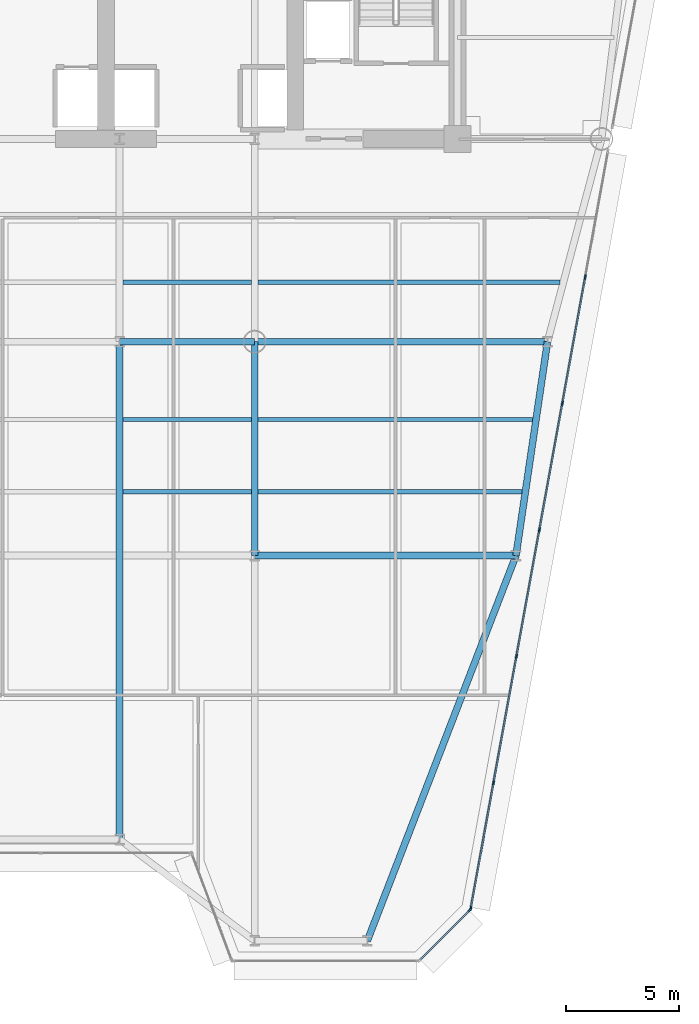
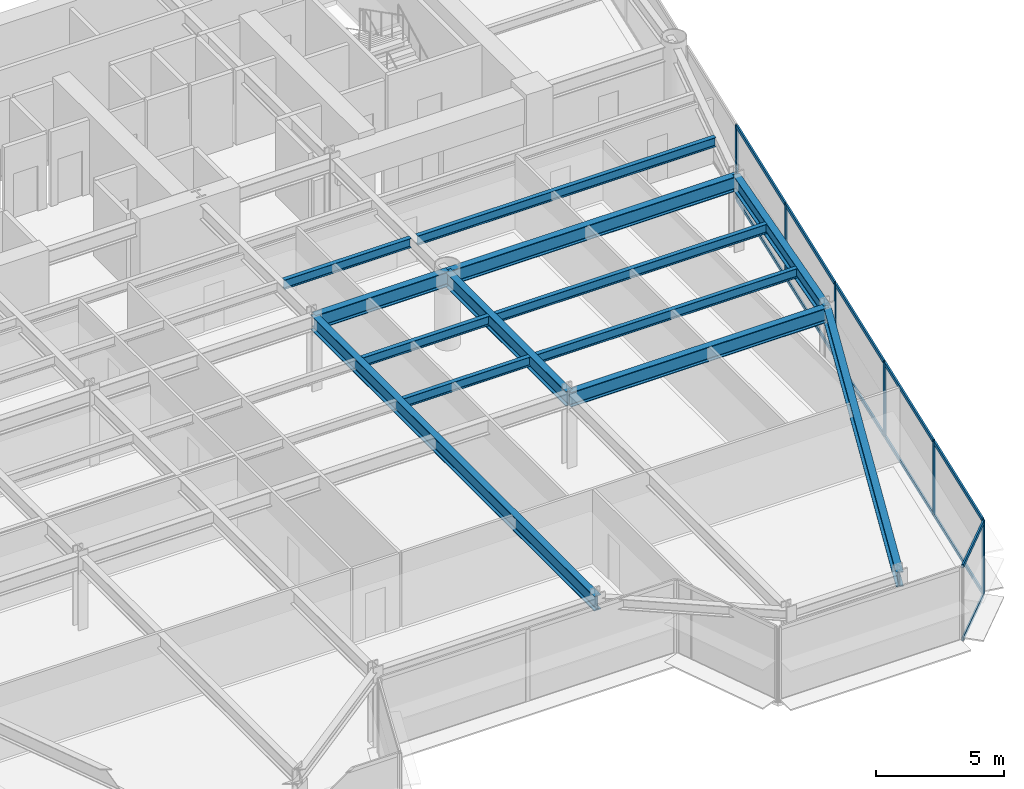
# One storey, part 4 of 14: 19 members, 13 beams, 2 elements without a shape of their own.
"""IFC4 building model written with IfcOpenShell, lengths in metres."""

from ifc_helpers import new_model, si_unit, direction, frame, origin, origin_2d, place, context, subcontext, project, spatial, rectangle, i_section, extrude, source, transform, mapped, material, layer, layer_set, material_profile, profile_set, type_object, element, aggregate, save


model = new_model("IFC4")

# Units and contexts
model_context = context("Model", 3, precision=1e-05, world=origin(), true_north=direction((0.0, 1.0)))
body_context = subcontext(model_context, "Body", "Model", "MODEL_VIEW")
ifc_project = project(units=[si_unit("LENGTHUNIT", "METRE"), si_unit("AREAUNIT", "SQUARE_METRE"), si_unit("VOLUMEUNIT", "CUBIC_METRE"), si_unit("PLANEANGLEUNIT", "RADIAN"), si_unit("MASSUNIT", "GRAM", prefix="KILO")], contexts=[model_context])

# Site, building, storey
site_placement = place(None, origin())
site = spatial("IfcSite", under=ifc_project, at=site_placement, CompositionType="ELEMENT")
building_placement = place(site_placement, origin())
building = spatial("IfcBuilding", under=site, at=building_placement, Name="Vaeldorn Concourse Tower", CompositionType="ELEMENT")
storey_placement = place(building_placement, frame((0.0, 0.0, 145.199951171875)))
storey = spatial("IfcBuildingStorey", under=building, at=storey_placement, Name="L37", CompositionType="ELEMENT", Elevation=145.199951171875)

# Beams
ifc_material_1 = material(Name="Steel S355", Category="steel")
ifc_material_profile_1 = material_profile(ifc_material_1, i_section(OverallWidth=0.300048828125, OverallDepth=0.699951171875, WebThickness=0.01708984375, FlangeThickness=0.031982421875, FilletRadius=0.027099609375, at=origin_2d()), Name="HEB 700")
ifc_profile_set_1 = profile_set([ifc_material_profile_1], Name="Steel S355")
beam_type_1 = type_object("IfcBeamType", Name="BM-PG-HEB700", PredefinedType="BEAM", material=ifc_profile_set_1)
shared_shape_1 = source(origin(), body_context, "Body", "SweptSolid", [
    extrude(i_section(OverallWidth=0.300048828125, OverallDepth=0.699951171875, WebThickness=0.01708984375, FlangeThickness=0.031982421875, FilletRadius=0.027099609375, at=origin_2d()), origin(), (0.0, 0.0, 1.0), 6.0),
])
beam_1_placement = place(storey_placement, frame((39.0, 27.5, 3.18994140625), z_axis=(1.0, 0.0, 0.0), x_axis=(0.0, 1.0, 0.0)))
element("IfcBeam", 1, at=beam_1_placement, inside=storey, type_object=beam_type_1, Name="Beam BM-L37-C-TW3-C-TW4", PredefinedType="BEAM", context=body_context, shape_type="MappedRepresentation", body=[
    mapped(shared_shape_1, transform((0.0, 0.0, 0.0), scale=1.0)),
])
shared_shape_2 = source(origin(), body_context, "Body", "SweptSolid", [
    extrude(i_section(OverallWidth=0.300048828125, OverallDepth=0.699951171875, WebThickness=0.01708984375, FlangeThickness=0.031982421875, FilletRadius=0.027099609375, at=origin_2d()), origin(), (0.0, 0.0, 1.0), 13.0),
])
beam_2_placement = place(storey_placement, frame((45.0, 27.5, 3.18994140625), z_axis=(1.0, 0.0, 0.0), x_axis=(0.0, 1.0, 0.0)))
element("IfcBeam", 2, at=beam_2_placement, inside=storey, type_object=beam_type_1, Name="Beam BM-L37-C-TW4-C-FLE1", PredefinedType="BEAM", context=body_context, shape_type="MappedRepresentation", body=[
    mapped(shared_shape_2, transform((0.0, 0.0, 0.0), scale=1.0)),
])
shared_shape_3 = source(origin(), body_context, "Body", "SweptSolid", [
    extrude(i_section(OverallWidth=0.300048828125, OverallDepth=0.699951171875, WebThickness=0.01708984375, FlangeThickness=0.031982421875, FilletRadius=0.027099609375, at=origin_2d()), origin(), (0.0, 0.0, 1.0), 9.6025390625),
])
beam_3_placement = place(storey_placement, frame((58.0, 27.5, 3.18994140625), z_axis=(-0.145783835977, -0.989316467652, 0.0), x_axis=(0.989316467652, -0.145783835977, 0.0)))
element("IfcBeam", 3, at=beam_3_placement, inside=storey, type_object=beam_type_1, Name="Beam BM-L37-C-FLE1-C-FLE2", PredefinedType="BEAM", context=body_context, shape_type="MappedRepresentation", body=[
    mapped(shared_shape_3, transform((0.0, 0.0, 0.0), scale=1.0)),
])
shared_shape_4 = source(origin(), body_context, "Body", "SweptSolid", [
    extrude(i_section(OverallWidth=0.300048828125, OverallDepth=0.699951171875, WebThickness=0.01708984375, FlangeThickness=0.031982421875, FilletRadius=0.027099609375, at=origin_2d()), origin(), (0.0, 0.0, 1.0), 11.60009765625),
])
beam_4_placement = place(storey_placement, frame((45.0, 18.0, 3.18994140625), z_axis=(1.0, 0.0, 0.0), x_axis=(0.0, 1.0, 0.0)))
element("IfcBeam", 4, at=beam_4_placement, inside=storey, type_object=beam_type_1, Name="Beam BM-L37-C-TW6-C-FLE2", PredefinedType="BEAM", context=body_context, shape_type="MappedRepresentation", body=[
    mapped(shared_shape_4, transform((0.0, 0.0, 0.0), scale=1.0)),
])
shared_shape_5 = source(origin(), body_context, "Body", "SweptSolid", [
    extrude(i_section(OverallWidth=0.300048828125, OverallDepth=0.699951171875, WebThickness=0.01708984375, FlangeThickness=0.031982421875, FilletRadius=0.027099609375, at=origin_2d()), origin(), (0.0, 0.0, 1.0), 9.5),
])
beam_5_placement = place(storey_placement, frame((45.0, 18.0, 3.18994140625), z_axis=(0.0, 1.0, 0.0), x_axis=(-1.0, 0.0, 0.0)))
element("IfcBeam", 5, at=beam_5_placement, inside=storey, type_object=beam_type_1, Name="Beam BM-L37-C-TW6-C-TW4", PredefinedType="BEAM", context=body_context, shape_type="MappedRepresentation", body=[
    mapped(shared_shape_5, transform((0.0, 0.0, 0.0), scale=1.0)),
])
ifc_material_profile_2 = material_profile(ifc_material_1, i_section(OverallWidth=0.18994140625, OverallDepth=0.449951171875, WebThickness=0.009521484375, FlangeThickness=0.0146484375, FilletRadius=0.02099609375, at=origin_2d()), Name="IPE 450")
ifc_profile_set_2 = profile_set([ifc_material_profile_2], Name="Steel S355")
beam_type_2 = type_object("IfcBeamType", Name="BM-JS-IPE450", PredefinedType="JOIST", material=ifc_profile_set_2)
shared_shape_6 = source(origin(), body_context, "Body", "SweptSolid", [
    extrude(i_section(OverallWidth=0.18994140625, OverallDepth=0.449951171875, WebThickness=0.009521484375, FlangeThickness=0.0146484375, FilletRadius=0.02099609375, at=origin_2d()), origin(), (0.0, 0.0, 1.0), 11.718505859375),
])
beam_6_placement = place(storey_placement, frame((45.14990234375, 20.840087890625, 3.31494140625), z_axis=(1.0, 0.0, 0.0), x_axis=(0.0, 1.0, 0.0)))
element("IfcBeam", 6, at=beam_6_placement, inside=storey, type_object=beam_type_2, Name="Beam JS-L37-E1-208", PredefinedType="JOIST", context=body_context, shape_type="MappedRepresentation", body=[
    mapped(shared_shape_6, transform((0.0, 0.0, 0.0), scale=1.0)),
])
shared_shape_7 = source(origin(), body_context, "Body", "SweptSolid", [
    extrude(i_section(OverallWidth=0.18994140625, OverallDepth=0.449951171875, WebThickness=0.009521484375, FlangeThickness=0.0146484375, FilletRadius=0.02099609375, at=origin_2d()), origin(), (0.0, 0.0, 1.0), 5.7001953125),
])
for number, where, z_axis, x_axis, name in (
    (7, (39.14990234375, 20.840087890625, 3.31494140625), (1.0, 0.0, 0.0), (0.0, 1.0, 0.0), "Beam JS-L37-E2-208"),
    (8, (39.14990234375, 24.0400390625, 3.31494140625), (1.0, 0.0, 0.0), (0.0, 1.0, 0.0), "Beam JS-L37-E2-240"),
    (9, (39.14990234375, 30.139892578125, 3.31494140625), (1.0, 0.0, 0.0), (0.0, 1.0, 0.0), "Beam JS-L37-E2-301"),
):
    element("IfcBeam", number, at=place(storey_placement, frame(where, z_axis=z_axis, x_axis=x_axis)), inside=storey, type_object=beam_type_2, Name=name, PredefinedType="JOIST", context=body_context, shape_type="MappedRepresentation", body=[
        mapped(shared_shape_7, transform((0.0, 0.0, 0.0), scale=1.0)),
    ])
shared_shape_8 = source(origin(), body_context, "Body", "SweptSolid", [
    extrude(i_section(OverallWidth=0.18994140625, OverallDepth=0.449951171875, WebThickness=0.009521484375, FlangeThickness=0.0146484375, FilletRadius=0.02099609375, at=origin_2d()), origin(), (0.0, 0.0, 1.0), 12.190185546875),
])
beam_7_placement = place(storey_placement, frame((45.14990234375, 24.0400390625, 3.31494140625), z_axis=(1.0, 0.0, 0.0), x_axis=(0.0, 1.0, 0.0)))
element("IfcBeam", 10, at=beam_7_placement, inside=storey, type_object=beam_type_2, Name="Beam JS-L37-E1-240", PredefinedType="JOIST", context=body_context, shape_type="MappedRepresentation", body=[
    mapped(shared_shape_8, transform((0.0, 0.0, 0.0), scale=1.0)),
])
shared_shape_9 = source(origin(), body_context, "Body", "SweptSolid", [
    extrude(i_section(OverallWidth=0.18994140625, OverallDepth=0.449951171875, WebThickness=0.009521484375, FlangeThickness=0.0146484375, FilletRadius=0.02099609375, at=origin_2d()), origin(), (0.0, 0.0, 1.0), 13.404052734375),
])
beam_8_placement = place(storey_placement, frame((45.14990234375, 30.139892578125, 3.31494140625), z_axis=(1.0, 0.0, 0.0), x_axis=(0.0, 1.0, 0.0)))
element("IfcBeam", 11, at=beam_8_placement, inside=storey, type_object=beam_type_2, Name="Beam JS-L37-E1-301", PredefinedType="JOIST", context=body_context, shape_type="MappedRepresentation", body=[
    mapped(shared_shape_9, transform((0.0, 0.0, 0.0), scale=1.0)),
])
shared_shape_10 = source(origin(), body_context, "Body", "SweptSolid", [
    extrude(i_section(OverallWidth=0.300048828125, OverallDepth=0.699951171875, WebThickness=0.01708984375, FlangeThickness=0.031982421875, FilletRadius=0.027099609375, at=origin_2d()), origin(), (0.0, 0.0, 1.0), 18.32958984375),
])
beam_9_placement = place(storey_placement, frame((50.0, 0.89990234375, 3.18994140625), z_axis=(0.36007844134, 0.932922031084, 0.0), x_axis=(-0.932922031084, 0.36007844134, 0.0)))
element("IfcBeam", 12, at=beam_9_placement, inside=storey, type_object=beam_type_1, Name="Beam BM-L37-C-SF6-C-FLE2", PredefinedType="BEAM", context=body_context, shape_type="MappedRepresentation", body=[
    mapped(shared_shape_10, transform((0.0, 0.0, 0.0), scale=1.0)),
])
shared_shape_11 = source(origin(), body_context, "Body", "SweptSolid", [
    extrude(i_section(OverallWidth=0.300048828125, OverallDepth=0.699951171875, WebThickness=0.01708984375, FlangeThickness=0.031982421875, FilletRadius=0.027099609375, at=origin_2d()), origin(), (0.0, 0.0, 1.0), 22.10009765625),
])
beam_10_placement = place(storey_placement, frame((39.0, 5.39990234375, 3.18994140625), z_axis=(0.0, 1.0, 0.0), x_axis=(-1.0, 0.0, 0.0)))
element("IfcBeam", 13, at=beam_10_placement, inside=storey, type_object=beam_type_1, Name="Beam BM-L37-C-SF4-C-TW3", PredefinedType="BEAM", context=body_context, shape_type="MappedRepresentation", body=[
    mapped(shared_shape_11, transform((0.0, 0.0, 0.0), scale=1.0)),
])

# Curtain wall, members
ifc_material_2 = material(Name="Anodised Bronze Aluminium", Category="aluminium")
ifc_layer = layer(ifc_material_2, 0.199951171875)
ifc_layer_set = layer_set([ifc_layer], Name="Anodised Bronze Aluminium")
curtain_wall_type = type_object("IfcCurtainWallType", Name="CW-SYS-02", PredefinedType="NOTDEFINED", material=ifc_layer_set)
curtain_wall_1_placement = place(storey_placement, origin())
curtain_wall_1 = element("IfcCurtainWall", 14, at=curtain_wall_1_placement, inside=storey, type_object=curtain_wall_type, Name="Unitised Curtain Wall CW-L37-E06-1", PredefinedType="NOTDEFINED")
ifc_material_profile_3 = material_profile(ifc_material_2, rectangle(XDim=0.074951171875, YDim=0.179931640625, at=origin_2d()), Name="CWT 75x180")
ifc_profile_set_3 = profile_set([ifc_material_profile_3], Name="Anodised Bronze Aluminium")
member_type_1 = type_object("IfcMemberType", Name="CWT-BRONZE-180", PredefinedType="USERDEFINED", material=ifc_profile_set_3)
shared_shape_12 = source(origin(), body_context, "Body", "SweptSolid", [
    extrude(rectangle(XDim=0.074951171875, YDim=0.179931640625, at=origin_2d()), origin(), (0.0, 0.0, 1.0), 3.102783203125),
])
member_1_placement = place(storey_placement, frame((52.338134765625, 0.052978515625, 0.03759765625), z_axis=(0.707067437368, 0.707146122816, 0.0), x_axis=(-0.707146122816, 0.707067437368, 0.0)))
member_1 = element("IfcMember", 15, at=member_1_placement, type_object=member_type_1, Name="CW-02 transom 1.1", ObjectType="TRANSOM", PredefinedType="USERDEFINED", context=body_context, shape_type="MappedRepresentation", body=[
    mapped(shared_shape_12, transform((0.0, 0.0, 0.0), scale=1.0)),
])
member_2_placement = place(storey_placement, frame((52.338134765625, 0.052978515625, 3.50244140625), z_axis=(0.707067437368, 0.707146122816, 0.0), x_axis=(-0.707146122816, 0.707067437368, 0.0)))
member_2 = element("IfcMember", 16, at=member_2_placement, type_object=member_type_1, Name="CW-02 transom 1.2", ObjectType="TRANSOM", PredefinedType="USERDEFINED", context=body_context, shape_type="MappedRepresentation", body=[
    mapped(shared_shape_12, transform((0.0, 0.0, 0.0), scale=1.0)),
])
ifc_material_profile_4 = material_profile(ifc_material_2, rectangle(XDim=0.074951171875, YDim=0.18994140625, at=origin_2d()), Name="CWM 75x190")
ifc_profile_set_4 = profile_set([ifc_material_profile_4], Name="Anodised Bronze Aluminium")
member_type_2 = type_object("IfcMemberType", Name="CWM-BRONZE-190", PredefinedType="MULLION", material=ifc_profile_set_4)
shared_shape_13 = source(origin(), body_context, "Body", "SweptSolid", [
    extrude(rectangle(XDim=0.074951171875, YDim=0.18994140625, at=origin_2d()), origin(), (0.0, 0.0, 1.0), 3.5400390625),
])
member_3_placement = place(storey_placement, frame((54.55859375, 2.2734375, 0.0), z_axis=(0.0, 0.0, 1.0), x_axis=(-0.707106781187, 0.707106781187, 0.0)))
member_3 = element("IfcMember", 17, at=member_3_placement, type_object=member_type_2, Name="CW-02 mullion 2", PredefinedType="MULLION", context=body_context, shape_type="MappedRepresentation", body=[
    mapped(shared_shape_13, transform((0.0, 0.0, 0.0), scale=1.0)),
])
aggregate(curtain_wall_1, [member_3, member_1, member_2])

curtain_wall_2_placement = place(storey_placement, origin())
curtain_wall_2 = element("IfcCurtainWall", 18, at=curtain_wall_2_placement, inside=storey, type_object=curtain_wall_type, Name="Unitised Curtain Wall CW-L37-E07-1", PredefinedType="NOTDEFINED")
member_4_placement = place(storey_placement, frame((54.591796875, 2.3369140625, 0.0), z_axis=(0.0, 0.0, 1.0), x_axis=(-0.983949505309, 0.178447109818, 0.0)))
member_4 = element("IfcMember", 19, at=member_4_placement, type_object=member_type_2, Name="CW-02 mullion 1", PredefinedType="MULLION", context=body_context, shape_type="MappedRepresentation", body=[
    mapped(shared_shape_13, transform((0.0, 0.0, 0.0), scale=1.0)),
])
member_5_placement = place(storey_placement, frame((55.60302734375, 7.91357421875, 0.0), z_axis=(0.0, 0.0, 1.0), x_axis=(-0.983949505309, 0.178447109818, 0.0)))
member_5 = element("IfcMember", 20, at=member_5_placement, type_object=member_type_2, Name="CW-02 mullion 2", PredefinedType="MULLION", context=body_context, shape_type="MappedRepresentation", body=[
    mapped(shared_shape_13, transform((0.0, 0.0, 0.0), scale=1.0)),
])
member_6_placement = place(storey_placement, frame((56.62109375, 13.52734375, 0.0), z_axis=(0.0, 0.0, 1.0), x_axis=(-0.983949505309, 0.178447109818, 0.0)))
member_6 = element("IfcMember", 21, at=member_6_placement, type_object=member_type_2, Name="CW-02 mullion 3", PredefinedType="MULLION", context=body_context, shape_type="MappedRepresentation", body=[
    mapped(shared_shape_13, transform((0.0, 0.0, 0.0), scale=1.0)),
])
member_7_placement = place(storey_placement, frame((57.63916015625, 19.14111328125, 0.0), z_axis=(0.0, 0.0, 1.0), x_axis=(-0.983949505309, 0.178447109818, 0.0)))
member_7 = element("IfcMember", 22, at=member_7_placement, type_object=member_type_2, Name="CW-02 mullion 4", PredefinedType="MULLION", context=body_context, shape_type="MappedRepresentation", body=[
    mapped(shared_shape_13, transform((0.0, 0.0, 0.0), scale=1.0)),
])
member_8_placement = place(storey_placement, frame((58.6572265625, 24.754638671875, 0.0), z_axis=(0.0, 0.0, 1.0), x_axis=(-0.983949505309, 0.178447109818, 0.0)))
member_8 = element("IfcMember", 23, at=member_8_placement, type_object=member_type_2, Name="CW-02 mullion 5", PredefinedType="MULLION", context=body_context, shape_type="MappedRepresentation", body=[
    mapped(shared_shape_13, transform((0.0, 0.0, 0.0), scale=1.0)),
])
member_9_placement = place(storey_placement, frame((59.675537109375, 30.368408203125, 0.0), z_axis=(0.0, 0.0, 1.0), x_axis=(-0.983949505309, 0.178447109818, 0.0)))
member_9 = element("IfcMember", 24, at=member_9_placement, type_object=member_type_2, Name="CW-02 mullion 6", PredefinedType="MULLION", context=body_context, shape_type="MappedRepresentation", body=[
    mapped(shared_shape_13, transform((0.0, 0.0, 0.0), scale=1.0)),
])
shared_shape_14 = source(origin(), body_context, "Body", "SweptSolid", [
    extrude(rectangle(XDim=0.074951171875, YDim=0.179931640625, at=origin_2d()), origin(), (0.0, 0.0, 1.0), 5.5927734375),
])
member_10_placement = place(storey_placement, frame((54.598388671875, 2.373779296875, 0.03759765625), z_axis=(0.178455173007, 0.983948042951, 0.0), x_axis=(-0.983948042951, 0.178455173007, 0.0)))
member_10 = element("IfcMember", 25, at=member_10_placement, type_object=member_type_1, Name="CW-02 transom 1.1", ObjectType="TRANSOM", PredefinedType="USERDEFINED", context=body_context, shape_type="MappedRepresentation", body=[
    mapped(shared_shape_14, transform((0.0, 0.0, 0.0), scale=1.0)),
])
member_11_placement = place(storey_placement, frame((54.598388671875, 2.373779296875, 3.50244140625), z_axis=(0.178455173007, 0.983948042951, 0.0), x_axis=(-0.983948042951, 0.178455173007, 0.0)))
member_11 = element("IfcMember", 26, at=member_11_placement, type_object=member_type_1, Name="CW-02 transom 1.2", ObjectType="TRANSOM", PredefinedType="USERDEFINED", context=body_context, shape_type="MappedRepresentation", body=[
    mapped(shared_shape_14, transform((0.0, 0.0, 0.0), scale=1.0)),
])
shared_shape_15 = source(origin(), body_context, "Body", "SweptSolid", [
    extrude(rectangle(XDim=0.074951171875, YDim=0.179931640625, at=origin_2d()), origin(), (0.0, 0.0, 1.0), 5.630126953125),
])
member_12_placement = place(storey_placement, frame((55.60986328125, 7.95068359375, 0.03759765625), z_axis=(0.178438953811, 0.983950984431, 0.0), x_axis=(-0.983950984431, 0.178438953811, 0.0)))
member_12 = element("IfcMember", 27, at=member_12_placement, type_object=member_type_1, Name="CW-02 transom 2.1", ObjectType="TRANSOM", PredefinedType="USERDEFINED", context=body_context, shape_type="MappedRepresentation", body=[
    mapped(shared_shape_15, transform((0.0, 0.0, 0.0), scale=1.0)),
])
member_13_placement = place(storey_placement, frame((55.60986328125, 7.95068359375, 3.50244140625), z_axis=(0.178438953811, 0.983950984431, 0.0), x_axis=(-0.983950984431, 0.178438953811, 0.0)))
member_13 = element("IfcMember", 28, at=member_13_placement, type_object=member_type_1, Name="CW-02 transom 2.2", ObjectType="TRANSOM", PredefinedType="USERDEFINED", context=body_context, shape_type="MappedRepresentation", body=[
    mapped(shared_shape_15, transform((0.0, 0.0, 0.0), scale=1.0)),
])
member_14_placement = place(storey_placement, frame((56.6279296875, 13.564208984375, 0.03759765625), z_axis=(0.178438953811, 0.983950984431, 0.0), x_axis=(-0.983950984431, 0.178438953811, 0.0)))
member_14 = element("IfcMember", 29, at=member_14_placement, type_object=member_type_1, Name="CW-02 transom 3.1", ObjectType="TRANSOM", PredefinedType="USERDEFINED", context=body_context, shape_type="MappedRepresentation", body=[
    mapped(shared_shape_15, transform((0.0, 0.0, 0.0), scale=1.0)),
])
member_15_placement = place(storey_placement, frame((56.6279296875, 13.564208984375, 3.50244140625), z_axis=(0.178438953811, 0.983950984431, 0.0), x_axis=(-0.983950984431, 0.178438953811, 0.0)))
member_15 = element("IfcMember", 30, at=member_15_placement, type_object=member_type_1, Name="CW-02 transom 3.2", ObjectType="TRANSOM", PredefinedType="USERDEFINED", context=body_context, shape_type="MappedRepresentation", body=[
    mapped(shared_shape_15, transform((0.0, 0.0, 0.0), scale=1.0)),
])
member_16_placement = place(storey_placement, frame((57.64599609375, 19.177978515625, 0.03759765625), z_axis=(0.178438953811, 0.983950984431, 0.0), x_axis=(-0.983950984431, 0.178438953811, 0.0)))
member_16 = element("IfcMember", 31, at=member_16_placement, type_object=member_type_1, Name="CW-02 transom 4.1", ObjectType="TRANSOM", PredefinedType="USERDEFINED", context=body_context, shape_type="MappedRepresentation", body=[
    mapped(shared_shape_15, transform((0.0, 0.0, 0.0), scale=1.0)),
])
member_17_placement = place(storey_placement, frame((57.64599609375, 19.177978515625, 3.50244140625), z_axis=(0.178438953811, 0.983950984431, 0.0), x_axis=(-0.983950984431, 0.178438953811, 0.0)))
member_17 = element("IfcMember", 32, at=member_17_placement, type_object=member_type_1, Name="CW-02 transom 4.2", ObjectType="TRANSOM", PredefinedType="USERDEFINED", context=body_context, shape_type="MappedRepresentation", body=[
    mapped(shared_shape_15, transform((0.0, 0.0, 0.0), scale=1.0)),
])
shared_shape_16 = source(origin(), body_context, "Body", "SweptSolid", [
    extrude(rectangle(XDim=0.074951171875, YDim=0.179931640625, at=origin_2d()), origin(), (0.0, 0.0, 1.0), 5.63037109375),
])
member_18_placement = place(storey_placement, frame((58.6640625, 24.79150390625, 0.03759765625), z_axis=(0.178431340655, 0.983952365042, 0.0), x_axis=(-0.983952365042, 0.178431340655, 0.0)))
member_18 = element("IfcMember", 33, at=member_18_placement, type_object=member_type_1, Name="CW-02 transom 5.1", ObjectType="TRANSOM", PredefinedType="USERDEFINED", context=body_context, shape_type="MappedRepresentation", body=[
    mapped(shared_shape_16, transform((0.0, 0.0, 0.0), scale=1.0)),
])
member_19_placement = place(storey_placement, frame((58.6640625, 24.79150390625, 3.50244140625), z_axis=(0.178431340655, 0.983952365042, 0.0), x_axis=(-0.983952365042, 0.178431340655, 0.0)))
member_19 = element("IfcMember", 34, at=member_19_placement, type_object=member_type_1, Name="CW-02 transom 5.2", ObjectType="TRANSOM", PredefinedType="USERDEFINED", context=body_context, shape_type="MappedRepresentation", body=[
    mapped(shared_shape_16, transform((0.0, 0.0, 0.0), scale=1.0)),
])
aggregate(curtain_wall_2, [member_4, member_5, member_6, member_7, member_8, member_9, member_10, member_11, member_12, member_13, member_14, member_15, member_16, member_17, member_18, member_19])

save(model, "model.ifc")
